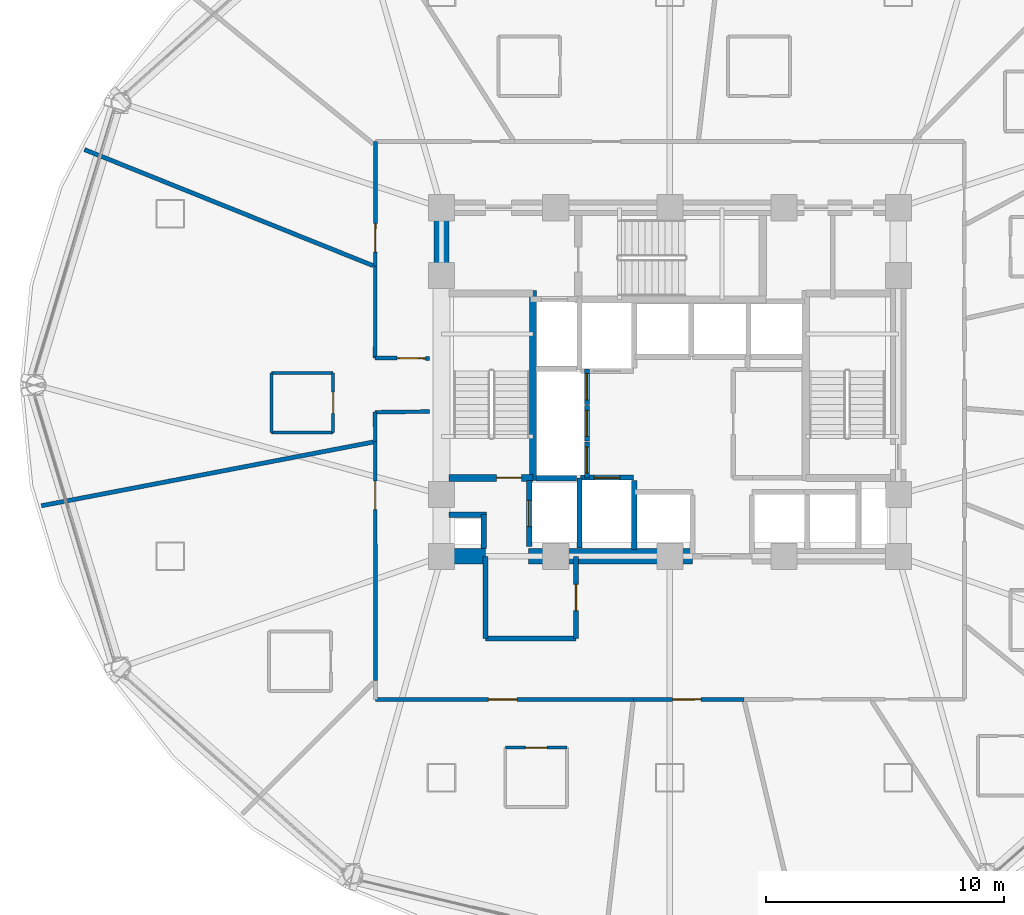
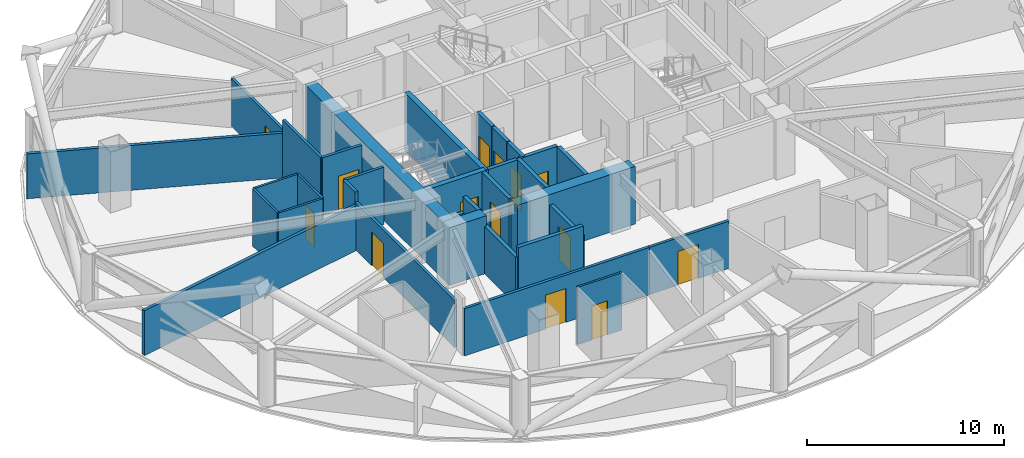
# One storey, part 24 of 31: 33 walls, 14 doors, 14 openings.
"""IFC4 building model written with IfcOpenShell, lengths in metres."""

from ifc_helpers import new_model, si_unit, direction, frame, frame_2d, origin, place, context, subcontext, project, spatial, rectangle, extrude, material, layer, layer_set, type_object, element, fill, save


model = new_model("IFC4")

# Units and contexts
model_context = context("Model", 3, precision=1e-05, world=origin(), true_north=direction((0.0, 1.0)))
body_context = subcontext(model_context, "Body", "Model", "MODEL_VIEW")
ifc_project = project(units=[si_unit("LENGTHUNIT", "METRE"), si_unit("AREAUNIT", "SQUARE_METRE"), si_unit("VOLUMEUNIT", "CUBIC_METRE"), si_unit("PLANEANGLEUNIT", "RADIAN"), si_unit("MASSUNIT", "GRAM", prefix="KILO")], contexts=[model_context])

# Site, building, storey
site_placement = place(None, origin())
site = spatial("IfcSite", under=ifc_project, at=site_placement, CompositionType="ELEMENT")
building_placement = place(site_placement, origin())
building = spatial("IfcBuilding", under=site, at=building_placement, Name="Vantalir Tower", CompositionType="ELEMENT")
storey_placement = place(building_placement, frame((0.0, 0.0, 42.0)))
storey = spatial("IfcBuildingStorey", under=building, at=storey_placement, Name="L09", CompositionType="ELEMENT", Elevation=42.0)

# Walls
ifc_material_1 = material(Name="Moisture-resistant en-suite partition", Category="gypsum")
ifc_layer_1 = layer(ifc_material_1, 0.125)
ifc_layer_set_1 = layer_set([ifc_layer_1], Name="Moisture-resistant en-suite partition")
wall_type_1 = type_object("IfcWallType", Name="WL-BATH-125", PredefinedType="PARTITIONING", material=ifc_layer_set_1)
for number, where, z_axis, x_axis, name in (
    (1, (14.748046875, 23.006103515625, 0.0), (0.0, 0.0, 1.0), (1.0, 0.0, 0.0), "L09 En-suite 07 South Wall"),
    (2, (14.748046875, 25.506103515625, 0.0), (0.0, 0.0, 1.0), (1.0, 0.0, 0.0), "L09 En-suite 07 North Wall"),
):
    element("IfcWall", number, at=place(storey_placement, frame(where, z_axis=z_axis, x_axis=x_axis)), inside=storey, type_object=wall_type_1, Name=name, PredefinedType="PARTITIONING", context=body_context, shape_type="SweptSolid", body=[
        extrude(rectangle(XDim=2.599853515625, YDim=0.125, at=frame_2d((1.2998046875, 0.0))), origin(), (0.0, 0.0, 1.0), 3.550048828125),
    ])
wall_1_placement = place(storey_placement, frame((14.748046875, 23.006103515625, 0.0), z_axis=(0.0, 0.0, 1.0), x_axis=(0.0, 1.0, 0.0)))
element("IfcWall", 3, at=wall_1_placement, inside=storey, type_object=wall_type_1, Name="L09 En-suite 07 West Wall", PredefinedType="PARTITIONING", context=body_context, shape_type="SweptSolid", body=[
    extrude(rectangle(XDim=2.5, YDim=0.125, at=frame_2d((1.25, 0.0))), origin(), (0.0, 0.0, 1.0), 3.550048828125),
])

# Wall, opening, door
wall_2_placement = place(storey_placement, frame((17.347900390625, 23.006103515625, 0.0), z_axis=(0.0, 0.0, 1.0), x_axis=(0.0, 1.0, 0.0)))
wall_2 = element("IfcWall", 4, at=wall_2_placement, inside=storey, type_object=wall_type_1, Name="L09 En-suite 07 East Wall", PredefinedType="PARTITIONING", context=body_context, shape_type="SweptSolid", body=[
    extrude(rectangle(XDim=2.5, YDim=0.125, at=frame_2d((1.25, 0.0))), origin(), (0.0, 0.0, 1.0), 3.550048828125),
])
opening_1_placement = place(wall_2_placement, frame((0.800048828125, 0.0, 0.0)))
opening_1 = element("IfcOpeningElement", 5, at=opening_1_placement, cuts=wall_2, Name="Opening D-WC", PredefinedType="OPENING", context=body_context, shape_type="SweptSolid", body=[
    extrude(rectangle(XDim=0.89990234375, YDim=2.10009765625, at=frame_2d((0.449951171875, 1.050048828125))), frame((0.0, 0.072509765625, 0.0), z_axis=(0.0, -1.0, 0.0), x_axis=(1.0, 0.0, 0.0)), (0.0, 0.0, 1.0), 0.14501953125),
])
ifc_material_2 = material(Name="Moisture-resistant hardwood door", Category="wood")
door_type_1 = type_object("IfcDoorType", Name="DR-ENSUITE-900", OperationType="NOTDEFINED", PredefinedType="DOOR", material=ifc_material_2)
door_1_placement = place(opening_1_placement, origin())
door_1 = element("IfcDoor", 6, at=door_1_placement, inside=storey, type_object=door_type_1, Name="L09 En-suite 07 Door", OperationType="SINGLE_SWING_LEFT", OverallHeight=2.10009765625, OverallWidth=0.89990234375, PredefinedType="DOOR", context=body_context, shape_type="SweptSolid", body=[
    extrude(rectangle(XDim=0.89990234375, YDim=2.10009765625, at=frame_2d((0.449951171875, 1.050048828125))), frame((0.0, 0.02490234375, 0.0), z_axis=(0.0, -1.0, 0.0), x_axis=(1.0, 0.0, 0.0)), (0.0, 0.0, 1.0), 0.050048828125),
])
fill(opening_1, door_1)

wall_3_placement = place(storey_placement, frame((24.580078125, 9.761962890625, 0.0), z_axis=(0.0, 0.0, 1.0), x_axis=(1.0, 0.0, 0.0)))
wall_3 = element("IfcWall", 7, at=wall_3_placement, inside=storey, type_object=wall_type_1, Name="L09 En-suite 09 North Wall", PredefinedType="PARTITIONING", context=body_context, shape_type="SweptSolid", body=[
    extrude(rectangle(XDim=2.599853515625, YDim=0.125, at=frame_2d((1.2998046875, 0.0))), origin(), (0.0, 0.0, 1.0), 3.550048828125),
])
opening_2_placement = place(wall_3_placement, frame((0.85009765625, 0.0, 0.0)))
opening_2 = element("IfcOpeningElement", 8, at=opening_2_placement, cuts=wall_3, Name="Opening D-WC", PredefinedType="OPENING", context=body_context, shape_type="SweptSolid", body=[
    extrude(rectangle(XDim=0.89990234375, YDim=2.10009765625, at=frame_2d((0.449951171875, 1.050048828125))), frame((0.0, 0.072509765625, 0.0), z_axis=(0.0, -1.0, 0.0), x_axis=(1.0, 0.0, 0.0)), (0.0, 0.0, 1.0), 0.14501953125),
])
door_2_placement = place(opening_2_placement, frame((0.89990234375, 0.0, 0.0), z_axis=(0.0, 0.0, 1.0), x_axis=(-1.0, 0.0, 0.0)))
door_2 = element("IfcDoor", 9, at=door_2_placement, inside=storey, type_object=door_type_1, Name="L09 En-suite 09 Door", OperationType="SINGLE_SWING_LEFT", OverallHeight=2.10009765625, OverallWidth=0.89990234375, PredefinedType="DOOR", context=body_context, shape_type="SweptSolid", body=[
    extrude(rectangle(XDim=0.89990234375, YDim=2.10009765625, at=frame_2d((0.449951171875, 1.050048828125))), frame((0.0, 0.02490234375, 0.0), z_axis=(0.0, -1.0, 0.0), x_axis=(1.0, 0.0, 0.0)), (0.0, 0.0, 1.0), 0.050048828125),
])
fill(opening_2, door_2)

# Walls
ifc_material_3 = material(Name="Concrete C60/75", Category="concrete")
ifc_layer_2 = layer(ifc_material_3, 0.64990234375)
ifc_layer_set_2 = layer_set([ifc_layer_2], Name="Concrete C60/75")
wall_type_2 = type_object("IfcWallType", Name="WL-CORE-650", PredefinedType="SHEAR", material=ifc_layer_set_2)
wall_4_placement = place(storey_placement, frame((21.574951171875, 17.800048828125, 0.0), z_axis=(0.0, 0.0, 1.0), x_axis=(1.0, 0.0, 0.0)))
element("IfcWall", 10, at=wall_4_placement, inside=storey, type_object=wall_type_2, Name="L09 Core Shear Wall South-West", PredefinedType="SHEAR", context=body_context, shape_type="SweptSolid", body=[
    extrude(rectangle(XDim=2.175048828125, YDim=0.64990234375, at=frame_2d((1.08740234375, 0.0))), origin(), (0.0, 0.0, 1.0), 3.570068359375),
])
wall_5_placement = place(storey_placement, frame((25.550048828125, 17.800048828125, 0.0), z_axis=(0.0, 0.0, 1.0), x_axis=(1.0, 0.0, 0.0)))
element("IfcWall", 11, at=wall_5_placement, inside=storey, type_object=wall_type_2, Name="L09 Core Shear Wall South-Mid", PredefinedType="SHEAR", context=body_context, shape_type="SweptSolid", body=[
    extrude(rectangle(XDim=6.89990234375, YDim=0.64990234375, at=frame_2d((3.449951171875, 0.0))), origin(), (0.0, 0.0, 1.0), 3.570068359375),
])
wall_6_placement = place(storey_placement, frame((21.89990234375, 18.125, 0.0), z_axis=(0.0, 0.0, 1.0), x_axis=(0.0, 1.0, 0.0)))
element("IfcWall", 12, at=wall_6_placement, inside=storey, type_object=wall_type_2, Name="L09 Core Shear Wall West", PredefinedType="SHEAR", context=body_context, shape_type="SweptSolid", body=[
    extrude(rectangle(XDim=14.0, YDim=0.64990234375, at=frame_2d((7.0, 0.0))), origin(), (0.0, 0.0, 1.0), 3.570068359375),
])

# Wall, opening, door
ifc_material_4 = material(Name="Fire-rated hotel corridor acoustic partition", Category="gypsum")
ifc_layer_3 = layer(ifc_material_4, 0.159912109375)
ifc_layer_set_3 = layer_set([ifc_layer_3], Name="Fire-rated hotel corridor acoustic partition")
wall_type_3 = type_object("IfcWallType", Name="WL-CORR-160", PredefinedType="PARTITIONING", material=ifc_layer_set_3)
wall_7_placement = place(storey_placement, frame((21.39501953125, 26.116943359375, 0.0), z_axis=(0.0, 0.0, 1.0), x_axis=(-0.999939393754, 0.011009487713, 0.0)))
wall_7 = element("IfcWall", 13, at=wall_7_placement, inside=storey, type_object=wall_type_3, Name="L09 Corridor Partition 01", PredefinedType="PARTITIONING", context=body_context, shape_type="SweptSolid", body=[
    extrude(rectangle(XDim=2.2841796875, YDim=0.159912109375, at=frame_2d((1.14208984375, 0.0))), origin(), (0.0, 0.0, 1.0), 3.550048828125),
])
opening_3_placement = place(wall_7_placement, frame((0.159912109375, 0.0, 0.0)))
opening_3 = element("IfcOpeningElement", 14, at=opening_3_placement, cuts=wall_7, Name="Opening D-STE", PredefinedType="OPENING", context=body_context, shape_type="SweptSolid", body=[
    extrude(rectangle(XDim=1.199951171875, YDim=2.10009765625, at=frame_2d((0.60009765625, 1.050048828125))), frame((0.0, 0.08984375, 0.0), z_axis=(0.0, -1.0, 0.0), x_axis=(1.0, 0.0, 0.0)), (0.0, 0.0, 1.0), 0.179931640625),
])
ifc_material_5 = material(Name="Solid-core teak veneer suite entrance door", Category="wood")
door_type_2 = type_object("IfcDoorType", Name="DR-SUITE-ENTRY-1200", OperationType="NOTDEFINED", PredefinedType="DOOR", material=ifc_material_5)
door_3_placement = place(opening_3_placement, origin())
door_3 = element("IfcDoor", 15, at=door_3_placement, inside=storey, type_object=door_type_2, Name="L09 Corner Panorama Hotel Suite 07 Door", OperationType="SINGLE_SWING_LEFT", OverallHeight=2.10009765625, OverallWidth=1.199951171875, PredefinedType="DOOR", context=body_context, shape_type="SweptSolid", body=[
    extrude(rectangle(XDim=1.199951171875, YDim=2.10009765625, at=frame_2d((0.60009765625, 1.050048828125))), frame((0.0, 0.02490234375, 0.0), z_axis=(0.0, -1.0, 0.0), x_axis=(1.0, 0.0, 0.0)), (0.0, 0.0, 1.0), 0.050048828125),
])
fill(opening_3, door_3)

# Wall
wall_8_placement = place(storey_placement, frame((19.111083984375, 26.14208984375, 0.0), z_axis=(0.0, 0.0, 1.0), x_axis=(0.002035619192, 0.999997928125, 0.0)))
element("IfcWall", 16, at=wall_8_placement, inside=storey, type_object=wall_type_3, Name="L09 Corridor Partition 02", PredefinedType="PARTITIONING", context=body_context, shape_type="SweptSolid", body=[
    extrude(rectangle(XDim=3.837890625, YDim=0.159912109375, at=frame_2d((1.9189453125, 0.0))), origin(), (0.0, 0.0, 1.0), 3.550048828125),
])

# Wall, opening, door
wall_9_placement = place(storey_placement, frame((19.118896484375, 29.97998046875, 0.0), z_axis=(0.0, 0.0, 1.0), x_axis=(0.002322874105, 0.999997302124, 0.0)))
wall_9 = element("IfcWall", 17, at=wall_9_placement, inside=storey, type_object=wall_type_3, Name="L09 Corridor Partition 03", PredefinedType="PARTITIONING", context=body_context, shape_type="SweptSolid", body=[
    extrude(rectangle(XDim=5.255126953125, YDim=0.159912109375, at=frame_2d((2.62744140625, 0.0))), origin(), (0.0, 0.0, 1.0), 2.927978515625),
])
opening_4_placement = place(wall_9_placement, frame((0.60791015625, 0.0, 0.0)))
opening_4 = element("IfcOpeningElement", 18, at=opening_4_placement, cuts=wall_9, Name="Opening D-STE", PredefinedType="OPENING", context=body_context, shape_type="SweptSolid", body=[
    extrude(rectangle(XDim=1.199951171875, YDim=2.10009765625, at=frame_2d((0.60009765625, 1.050048828125))), frame((0.0, 0.08984375, 0.0), z_axis=(0.0, -1.0, 0.0), x_axis=(1.0, 0.0, 0.0)), (0.0, 0.0, 1.0), 0.179931640625),
])
door_4_placement = place(opening_4_placement, origin())
door_4 = element("IfcDoor", 19, at=door_4_placement, inside=storey, type_object=door_type_2, Name="L09 Executive Sky Boardroom 06 Door", OperationType="SINGLE_SWING_RIGHT", OverallHeight=2.10009765625, OverallWidth=1.199951171875, PredefinedType="DOOR", context=body_context, shape_type="SweptSolid", body=[
    extrude(rectangle(XDim=1.199951171875, YDim=2.10009765625, at=frame_2d((0.60009765625, 1.050048828125))), frame((0.0, 0.02490234375, 0.0), z_axis=(0.0, -1.0, 0.0), x_axis=(1.0, 0.0, 0.0)), (0.0, 0.0, 1.0), 0.050048828125),
])
fill(opening_4, door_4)

wall_10_placement = place(storey_placement, frame((34.60791015625, 11.7900390625, 0.0), z_axis=(0.0, 0.0, 1.0), x_axis=(-0.999999801099, -0.000630715737, 0.0)))
wall_10 = element("IfcWall", 20, at=wall_10_placement, inside=storey, type_object=wall_type_3, Name="L09 Corridor Partition 16", PredefinedType="PARTITIONING", context=body_context, shape_type="SweptSolid", body=[
    extrude(rectangle(XDim=4.64501953125, YDim=0.159912109375, at=frame_2d((2.322509765625, 0.0))), origin(), (0.0, 0.0, 1.0), 2.927978515625),
])
opening_5_placement = place(wall_10_placement, frame((1.797119140625, 0.0, 0.0)))
opening_5 = element("IfcOpeningElement", 21, at=opening_5_placement, cuts=wall_10, Name="Opening D-STE", PredefinedType="OPENING", context=body_context, shape_type="SweptSolid", body=[
    extrude(rectangle(XDim=1.199951171875, YDim=2.10009765625, at=frame_2d((0.60009765625, 1.050048828125))), frame((0.0, 0.08984375, 0.0), z_axis=(0.0, -1.0, 0.0), x_axis=(1.0, 0.0, 0.0)), (0.0, 0.0, 1.0), 0.179931640625),
])
door_5_placement = place(opening_5_placement, origin())
door_5 = element("IfcDoor", 22, at=door_5_placement, inside=storey, type_object=door_type_2, Name="L09 Club Reading Lounge 10 Door", OperationType="SINGLE_SWING_RIGHT", OverallHeight=2.10009765625, OverallWidth=1.199951171875, PredefinedType="DOOR", context=body_context, shape_type="SweptSolid", body=[
    extrude(rectangle(XDim=1.199951171875, YDim=2.10009765625, at=frame_2d((0.60009765625, 1.050048828125))), frame((0.0, 0.02490234375, 0.0), z_axis=(0.0, -1.0, 0.0), x_axis=(1.0, 0.0, 0.0)), (0.0, 0.0, 1.0), 0.050048828125),
])
fill(opening_5, door_5)

wall_11_placement = place(storey_placement, frame((29.962890625, 11.787109375, 0.0), z_axis=(0.0, 0.0, 1.0), x_axis=(-0.999999786378, -0.000653638826, 0.0)))
wall_11 = element("IfcWall", 23, at=wall_11_placement, inside=storey, type_object=wall_type_3, Name="L09 Corridor Partition 17", PredefinedType="PARTITIONING", context=body_context, shape_type="SweptSolid", body=[
    extrude(rectangle(XDim=10.831787109375, YDim=0.159912109375, at=frame_2d((5.416015625, 0.0))), origin(), (0.0, 0.0, 1.0), 2.927978515625),
])
opening_6_placement = place(wall_11_placement, frame((4.889892578125, 0.0, 0.0)))
opening_6 = element("IfcOpeningElement", 24, at=opening_6_placement, cuts=wall_11, Name="Opening D-STE", PredefinedType="OPENING", context=body_context, shape_type="SweptSolid", body=[
    extrude(rectangle(XDim=1.199951171875, YDim=2.10009765625, at=frame_2d((0.60009765625, 1.050048828125))), frame((0.0, 0.08984375, 0.0), z_axis=(0.0, -1.0, 0.0), x_axis=(1.0, 0.0, 0.0)), (0.0, 0.0, 1.0), 0.179931640625),
])
door_6_placement = place(opening_6_placement, origin())
door_6 = element("IfcDoor", 25, at=door_6_placement, inside=storey, type_object=door_type_2, Name="L09 Corner Panorama Hotel Suite 09 Door", OperationType="SINGLE_SWING_LEFT", OverallHeight=2.10009765625, OverallWidth=1.199951171875, PredefinedType="DOOR", context=body_context, shape_type="SweptSolid", body=[
    extrude(rectangle(XDim=1.199951171875, YDim=2.10009765625, at=frame_2d((0.60009765625, 1.050048828125))), frame((0.0, 0.02490234375, 0.0), z_axis=(0.0, -1.0, 0.0), x_axis=(1.0, 0.0, 0.0)), (0.0, 0.0, 1.0), 0.050048828125),
])
fill(opening_6, door_6)

wall_12_placement = place(storey_placement, frame((19.1298828125, 12.5869140625, 0.0), z_axis=(0.0, 0.0, 1.0), x_axis=(-0.001678829751, 0.999998590764, 0.0)))
wall_12 = element("IfcWall", 26, at=wall_12_placement, inside=storey, type_object=wall_type_3, Name="L09 Corridor Partition 19", PredefinedType="PARTITIONING", context=body_context, shape_type="SweptSolid", body=[
    extrude(rectangle(XDim=10.0341796875, YDim=0.159912109375, at=frame_2d((5.01708984375, 0.0))), origin(), (0.0, 0.0, 1.0), 2.927978515625),
])
opening_7_placement = place(wall_12_placement, frame((7.179931640625, 0.0, 0.0)))
opening_7 = element("IfcOpeningElement", 27, at=opening_7_placement, cuts=wall_12, Name="Opening D-STE", PredefinedType="OPENING", context=body_context, shape_type="SweptSolid", body=[
    extrude(rectangle(XDim=1.199951171875, YDim=2.10009765625, at=frame_2d((0.60009765625, 1.050048828125))), frame((0.0, 0.08984375, 0.0), z_axis=(0.0, -1.0, 0.0), x_axis=(1.0, 0.0, 0.0)), (0.0, 0.0, 1.0), 0.179931640625),
])
door_7_placement = place(opening_7_placement, origin())
door_7 = element("IfcDoor", 28, at=door_7_placement, inside=storey, type_object=door_type_2, Name="L09 Executive Club Hotel Suite 08 Door", OperationType="SINGLE_SWING_RIGHT", OverallHeight=2.10009765625, OverallWidth=1.199951171875, PredefinedType="DOOR", context=body_context, shape_type="SweptSolid", body=[
    extrude(rectangle(XDim=1.199951171875, YDim=2.10009765625, at=frame_2d((0.60009765625, 1.050048828125))), frame((0.0, 0.02490234375, 0.0), z_axis=(0.0, -1.0, 0.0), x_axis=(1.0, 0.0, 0.0)), (0.0, 0.0, 1.0), 0.050048828125),
])
fill(opening_7, door_7)

# Walls
wall_13_placement = place(storey_placement, frame((19.113037109375, 22.62109375, 0.0), z_axis=(0.0, 0.0, 1.0), x_axis=(-0.001579153183, 0.999998753137, 0.0)))
element("IfcWall", 29, at=wall_13_placement, inside=storey, type_object=wall_type_3, Name="L09 Corridor Partition 20", PredefinedType="PARTITIONING", context=body_context, shape_type="SweptSolid", body=[
    extrude(rectangle(XDim=1.23681640625, YDim=0.159912109375, at=frame_2d((0.618408203125, 0.0))), origin(), (0.0, 0.0, 1.0), 3.550048828125),
])
wall_14_placement = place(storey_placement, frame((19.111083984375, 23.85791015625, 0.0), z_axis=(0.0, 0.0, 1.0), x_axis=(0.999919104634, 0.01271944131, 0.0)))
element("IfcWall", 30, at=wall_14_placement, inside=storey, type_object=wall_type_3, Name="L09 Corridor Partition 21", PredefinedType="PARTITIONING", context=body_context, shape_type="SweptSolid", body=[
    extrude(rectangle(XDim=2.2841796875, YDim=0.159912109375, at=frame_2d((1.14208984375, 0.0))), origin(), (0.0, 0.0, 1.0), 3.550048828125),
])
ifc_material_6 = material(Name="Concrete blockwork with fireboard lining", Category="masonry")
ifc_layer_4 = layer(ifc_material_6, 0.219970703125)
ifc_layer_set_4 = layer_set([ifc_layer_4], Name="Concrete blockwork with fireboard lining")
wall_type_4 = type_object("IfcWallType", Name="WL-FFL-220", PredefinedType="PARTITIONING", material=ifc_layer_set_4)
wall_15_placement = place(storey_placement, frame((30.0, 18.080078125, 0.0), z_axis=(0.0, 0.0, 1.0), x_axis=(0.0, 1.0, 0.0)))
element("IfcWall", 31, at=wall_15_placement, inside=storey, type_object=wall_type_4, Name="L09 Service Lift SV1 East Shaft Wall", PredefinedType="PARTITIONING", context=body_context, shape_type="SweptSolid", body=[
    extrude(rectangle(XDim=2.89990234375, YDim=0.219970703125, at=frame_2d((1.449951171875, 0.0))), origin(), (0.0, 0.0, 1.0), 3.544921875),
])
wall_16_placement = place(storey_placement, frame((23.679931640625, 18.125, 0.0), z_axis=(0.0, 0.0, 1.0), x_axis=(0.0, 1.0, 0.0)))
element("IfcWall", 32, at=wall_16_placement, inside=storey, type_object=wall_type_4, Name="L09 West MEP Riser Wall E", PredefinedType="PARTITIONING", context=body_context, shape_type="SweptSolid", body=[
    extrude(rectangle(XDim=1.425048828125, YDim=0.219970703125, at=frame_2d((0.71240234375, 0.0))), origin(), (0.0, 0.0, 1.0), 3.550048828125),
])
wall_17_placement = place(storey_placement, frame((22.22509765625, 19.550048828125, 0.0), z_axis=(0.0, 0.0, 1.0), x_axis=(1.0, 0.0, 0.0)))
element("IfcWall", 33, at=wall_17_placement, inside=storey, type_object=wall_type_4, Name="L09 West MEP Riser Wall N", PredefinedType="PARTITIONING", context=body_context, shape_type="SweptSolid", body=[
    extrude(rectangle(XDim=1.56494140625, YDim=0.219970703125, at=frame_2d((0.782470703125, 0.0))), origin(), (0.0, 0.0, 1.0), 2.594970703125),
])

# Wall, opening, door
wall_18_placement = place(storey_placement, frame((25.590087890625, 18.219970703125, 0.0), z_axis=(0.0, 0.0, 1.0), x_axis=(0.0, 1.0, 0.0)))
wall_18 = element("IfcWall", 34, at=wall_18_placement, inside=storey, type_object=wall_type_4, Name="L09 Lift FL1 Shaft Front Wall", PredefinedType="PARTITIONING", context=body_context, shape_type="SweptSolid", body=[
    extrude(rectangle(XDim=2.760009765625, YDim=0.219970703125, at=frame_2d((1.3798828125, 0.0))), origin(), (0.0, 0.0, 1.0), 3.550048828125),
])
opening_8_placement = place(wall_18_placement, frame((0.830078125, 0.0, 0.0)))
opening_8 = element("IfcOpeningElement", 35, at=opening_8_placement, cuts=wall_18, Name="Opening LD-FL1", PredefinedType="OPENING", context=body_context, shape_type="SweptSolid", body=[
    extrude(rectangle(XDim=1.10009765625, YDim=2.199951171875, at=frame_2d((0.550048828125, 1.10009765625))), frame((0.0, 0.119873046875, 0.0), z_axis=(0.0, -1.0, 0.0), x_axis=(1.0, 0.0, 0.0)), (0.0, 0.0, 1.0), 0.239990234375),
])
ifc_material_7 = material(Name="Brushed stainless-steel sliding lift landing door", Category="steel")
door_type_3 = type_object("IfcDoorType", Name="DR-LIFT-LANDING-1100", OperationType="DOUBLE_DOOR_SLIDING", PredefinedType="DOOR", material=ifc_material_7)
door_8_placement = place(opening_8_placement, origin())
door_8 = element("IfcDoor", 36, at=door_8_placement, inside=storey, type_object=door_type_3, Name="L09 Lift Landing Door FL1", OperationType="DOUBLE_DOOR_SLIDING", OverallHeight=2.199951171875, OverallWidth=1.10009765625, PredefinedType="DOOR", context=body_context, shape_type="SweptSolid", body=[
    extrude(rectangle(XDim=1.10009765625, YDim=2.199951171875, at=frame_2d((0.550048828125, 1.10009765625))), frame((0.0, 0.02490234375, 0.0), z_axis=(0.0, -1.0, 0.0), x_axis=(1.0, 0.0, 0.0)), (0.0, 0.0, 1.0), 0.050048828125),
])
fill(opening_8, door_8)

wall_19_placement = place(storey_placement, frame((27.739990234375, 21.110107421875, 0.0), z_axis=(0.0, 0.0, 1.0), x_axis=(1.0, 0.0, 0.0)))
wall_19 = element("IfcWall", 37, at=wall_19_placement, inside=storey, type_object=wall_type_4, Name="L09 Lift SV1 Shaft Front Wall", PredefinedType="PARTITIONING", context=body_context, shape_type="SweptSolid", body=[
    extrude(rectangle(XDim=2.219970703125, YDim=0.219970703125, at=frame_2d((1.10986328125, 0.0))), origin(), (0.0, 0.0, 1.0), 3.550048828125),
])
opening_9_placement = place(wall_19_placement, frame((0.56005859375, 0.0, 0.0)))
opening_9 = element("IfcOpeningElement", 38, at=opening_9_placement, cuts=wall_19, Name="Opening LD-SV1", PredefinedType="OPENING", context=body_context, shape_type="SweptSolid", body=[
    extrude(rectangle(XDim=1.10009765625, YDim=2.199951171875, at=frame_2d((0.550048828125, 1.10009765625))), frame((0.0, 0.119873046875, 0.0), z_axis=(0.0, -1.0, 0.0), x_axis=(1.0, 0.0, 0.0)), (0.0, 0.0, 1.0), 0.239990234375),
])
door_9_placement = place(opening_9_placement, origin())
door_9 = element("IfcDoor", 39, at=door_9_placement, inside=storey, type_object=door_type_3, Name="L09 Lift Landing Door SV1", OperationType="DOUBLE_DOOR_SLIDING", OverallHeight=2.199951171875, OverallWidth=1.10009765625, PredefinedType="DOOR", context=body_context, shape_type="SweptSolid", body=[
    extrude(rectangle(XDim=1.10009765625, YDim=2.199951171875, at=frame_2d((0.550048828125, 1.10009765625))), frame((0.0, 0.02490234375, 0.0), z_axis=(0.0, -1.0, 0.0), x_axis=(1.0, 0.0, 0.0)), (0.0, 0.0, 1.0), 0.050048828125),
])
fill(opening_9, door_9)

wall_20_placement = place(storey_placement, frame((28.010009765625, 21.10009765625, 0.0), z_axis=(0.0, 0.0, 1.0), x_axis=(0.0, 1.0, 0.0)))
wall_20 = element("IfcWall", 40, at=wall_20_placement, inside=storey, type_object=wall_type_4, Name="L09 Lift PL-L1 Shaft Front Wall", PredefinedType="PARTITIONING", context=body_context, shape_type="SweptSolid", body=[
    extrude(rectangle(XDim=1.5, YDim=0.219970703125, at=frame_2d((0.75, 0.0))), origin(), (0.0, 0.0, 1.0), 3.550048828125),
])
opening_10_placement = place(wall_20_placement, frame((0.199951171875, 0.0, 0.0)))
opening_10 = element("IfcOpeningElement", 41, at=opening_10_placement, cuts=wall_20, Name="Opening LD-PL-L1", PredefinedType="OPENING", context=body_context, shape_type="SweptSolid", body=[
    extrude(rectangle(XDim=1.10009765625, YDim=2.199951171875, at=frame_2d((0.550048828125, 1.10009765625))), frame((0.0, 0.119873046875, 0.0), z_axis=(0.0, -1.0, 0.0), x_axis=(1.0, 0.0, 0.0)), (0.0, 0.0, 1.0), 0.239990234375),
])
door_10_placement = place(opening_10_placement, frame((1.10009765625, 0.0, 0.0), z_axis=(0.0, 0.0, 1.0), x_axis=(-1.0, 0.0, 0.0)))
door_10 = element("IfcDoor", 42, at=door_10_placement, inside=storey, type_object=door_type_3, Name="L09 Lift Landing Door PL-L1", OperationType="DOUBLE_DOOR_SLIDING", OverallHeight=2.199951171875, OverallWidth=1.10009765625, PredefinedType="DOOR", context=body_context, shape_type="SweptSolid", body=[
    extrude(rectangle(XDim=1.10009765625, YDim=2.199951171875, at=frame_2d((0.550048828125, 1.10009765625))), frame((0.0, 0.02490234375, 0.0), z_axis=(0.0, -1.0, 0.0), x_axis=(1.0, 0.0, 0.0)), (0.0, 0.0, 1.0), 0.050048828125),
])
fill(opening_10, door_10)

wall_21_placement = place(storey_placement, frame((28.010009765625, 22.639892578125, 0.0), z_axis=(0.0, 0.0, 1.0), x_axis=(0.0, 1.0, 0.0)))
wall_21 = element("IfcWall", 43, at=wall_21_placement, inside=storey, type_object=wall_type_4, Name="L09 Lift PL-L2 Shaft Front Wall", PredefinedType="PARTITIONING", context=body_context, shape_type="SweptSolid", body=[
    extrude(rectangle(XDim=1.5, YDim=0.219970703125, at=frame_2d((0.75, 0.0))), origin(), (0.0, 0.0, 1.0), 3.550048828125),
])
opening_11_placement = place(wall_21_placement, frame((0.199951171875, 0.0, 0.0)))
opening_11 = element("IfcOpeningElement", 44, at=opening_11_placement, cuts=wall_21, Name="Opening LD-PL-L2", PredefinedType="OPENING", context=body_context, shape_type="SweptSolid", body=[
    extrude(rectangle(XDim=1.10009765625, YDim=2.199951171875, at=frame_2d((0.550048828125, 1.10009765625))), frame((0.0, 0.119873046875, 0.0), z_axis=(0.0, -1.0, 0.0), x_axis=(1.0, 0.0, 0.0)), (0.0, 0.0, 1.0), 0.239990234375),
])
door_11_placement = place(opening_11_placement, frame((1.10009765625, 0.0, 0.0), z_axis=(0.0, 0.0, 1.0), x_axis=(-1.0, 0.0, 0.0)))
door_11 = element("IfcDoor", 45, at=door_11_placement, inside=storey, type_object=door_type_3, Name="L09 Lift Landing Door PL-L2", OperationType="DOUBLE_DOOR_SLIDING", OverallHeight=2.199951171875, OverallWidth=1.10009765625, PredefinedType="DOOR", context=body_context, shape_type="SweptSolid", body=[
    extrude(rectangle(XDim=1.10009765625, YDim=2.199951171875, at=frame_2d((0.550048828125, 1.10009765625))), frame((0.0, 0.02490234375, 0.0), z_axis=(0.0, -1.0, 0.0), x_axis=(1.0, 0.0, 0.0)), (0.0, 0.0, 1.0), 0.050048828125),
])
fill(opening_11, door_11)

wall_22_placement = place(storey_placement, frame((28.010009765625, 24.179931640625, 0.0), z_axis=(0.0, 0.0, 1.0), x_axis=(0.0, 1.0, 0.0)))
wall_22 = element("IfcWall", 46, at=wall_22_placement, inside=storey, type_object=wall_type_4, Name="L09 Lift PL-L3 Shaft Front Wall", PredefinedType="PARTITIONING", context=body_context, shape_type="SweptSolid", body=[
    extrude(rectangle(XDim=1.5, YDim=0.219970703125, at=frame_2d((0.75, 0.0))), origin(), (0.0, 0.0, 1.0), 3.550048828125),
])
opening_12_placement = place(wall_22_placement, frame((0.199951171875, 0.0, 0.0)))
opening_12 = element("IfcOpeningElement", 47, at=opening_12_placement, cuts=wall_22, Name="Opening LD-PL-L3", PredefinedType="OPENING", context=body_context, shape_type="SweptSolid", body=[
    extrude(rectangle(XDim=1.10009765625, YDim=2.199951171875, at=frame_2d((0.550048828125, 1.10009765625))), frame((0.0, 0.119873046875, 0.0), z_axis=(0.0, -1.0, 0.0), x_axis=(1.0, 0.0, 0.0)), (0.0, 0.0, 1.0), 0.239990234375),
])
door_12_placement = place(opening_12_placement, frame((1.10009765625, 0.0, 0.0), z_axis=(0.0, 0.0, 1.0), x_axis=(-1.0, 0.0, 0.0)))
door_12 = element("IfcDoor", 48, at=door_12_placement, inside=storey, type_object=door_type_3, Name="L09 Lift Landing Door PL-L3", OperationType="DOUBLE_DOOR_SLIDING", OverallHeight=2.199951171875, OverallWidth=1.10009765625, PredefinedType="DOOR", context=body_context, shape_type="SweptSolid", body=[
    extrude(rectangle(XDim=1.10009765625, YDim=2.199951171875, at=frame_2d((0.550048828125, 1.10009765625))), frame((0.0, 0.02490234375, 0.0), z_axis=(0.0, -1.0, 0.0), x_axis=(1.0, 0.0, 0.0)), (0.0, 0.0, 1.0), 0.050048828125),
])
fill(opening_12, door_12)

# Walls
wall_23_placement = place(storey_placement, frame((27.699951171875, 18.14990234375, 0.0), z_axis=(0.0, 0.0, 1.0), x_axis=(0.0, 1.0, 0.0)))
element("IfcWall", 49, at=wall_23_placement, inside=storey, type_object=wall_type_4, Name="L09 Fire Lift FL1 Dividing Wall", PredefinedType="PARTITIONING", context=body_context, shape_type="SweptSolid", body=[
    extrude(rectangle(XDim=2.9501953125, YDim=0.219970703125, at=frame_2d((1.47509765625, 0.0))), origin(), (0.0, 0.0, 1.0), 3.550048828125),
])
wall_24_placement = place(storey_placement, frame((25.8798828125, 21.080078125, 0.0), z_axis=(0.0, 0.0, 1.0), x_axis=(1.0, 0.0, 0.0)))
element("IfcWall", 50, at=wall_24_placement, inside=storey, type_object=wall_type_4, Name="L09 Low-Rise Bank South Wall", PredefinedType="PARTITIONING", context=body_context, shape_type="SweptSolid", body=[
    extrude(rectangle(XDim=1.7001953125, YDim=0.219970703125, at=frame_2d((0.85009765625, 0.0))), origin(), (0.0, 0.0, 1.0), 3.550048828125),
])
wall_25_placement = place(storey_placement, frame((23.75, 14.35009765625, 0.0), z_axis=(0.0, 0.0, 1.0), x_axis=(0.0, 1.0, 0.0)))
element("IfcWall", 51, at=wall_25_placement, inside=storey, type_object=wall_type_4, Name="L09 Firefighting Lobby West Outer W", PredefinedType="PARTITIONING", context=body_context, shape_type="SweptSolid", body=[
    extrude(rectangle(XDim=3.449951171875, YDim=0.219970703125, at=frame_2d((1.72509765625, 0.0))), origin(), (0.0, 0.0, 1.0), 2.927978515625),
])
wall_26_placement = place(storey_placement, frame((23.75, 14.35009765625, 0.0), z_axis=(0.0, 0.0, 1.0), x_axis=(1.0, 0.0, 0.0)))
element("IfcWall", 52, at=wall_26_placement, inside=storey, type_object=wall_type_4, Name="L09 Firefighting Lobby West South Wall", PredefinedType="PARTITIONING", context=body_context, shape_type="SweptSolid", body=[
    extrude(rectangle(XDim=3.800048828125, YDim=0.219970703125, at=frame_2d((1.89990234375, 0.0))), origin(), (0.0, 0.0, 1.0), 3.550048828125),
])

# Wall, opening, door
wall_27_placement = place(storey_placement, frame((27.550048828125, 14.35009765625, 0.0), z_axis=(0.0, 0.0, 1.0), x_axis=(0.0, 1.0, 0.0)))
wall_27 = element("IfcWall", 53, at=wall_27_placement, inside=storey, type_object=wall_type_4, Name="L09 Firefighting Lobby West East Wall", PredefinedType="PARTITIONING", context=body_context, shape_type="SweptSolid", body=[
    extrude(rectangle(XDim=3.449951171875, YDim=0.219970703125, at=frame_2d((1.72509765625, 0.0))), origin(), (0.0, 0.0, 1.0), 2.927978515625),
])
opening_13_placement = place(wall_27_placement, frame((1.175048828125, 0.0, 0.0)))
opening_13 = element("IfcOpeningElement", 54, at=opening_13_placement, cuts=wall_27, Name="Opening D-FFL", PredefinedType="OPENING", context=body_context, shape_type="SweptSolid", body=[
    extrude(rectangle(XDim=1.10009765625, YDim=2.10009765625, at=frame_2d((0.550048828125, 1.050048828125))), frame((0.0, 0.119873046875, 0.0), z_axis=(0.0, -1.0, 0.0), x_axis=(1.0, 0.0, 0.0)), (0.0, 0.0, 1.0), 0.239990234375),
])
ifc_material_8 = material(Name="Fire-rated acoustic steel door", Category="steel")
door_type_4 = type_object("IfcDoorType", Name="DR-FIRE-LOBBY-1100", OperationType="NOTDEFINED", PredefinedType="DOOR", material=ifc_material_8)
door_13_placement = place(opening_13_placement, origin())
door_13 = element("IfcDoor", 55, at=door_13_placement, inside=storey, type_object=door_type_4, Name="L09 Firefighting Lobby West Access Door", OperationType="SINGLE_SWING_RIGHT", OverallHeight=2.10009765625, OverallWidth=1.10009765625, PredefinedType="DOOR", context=body_context, shape_type="SweptSolid", body=[
    extrude(rectangle(XDim=1.10009765625, YDim=2.10009765625, at=frame_2d((0.550048828125, 1.050048828125))), frame((0.0, 0.02490234375, 0.0), z_axis=(0.0, -1.0, 0.0), x_axis=(1.0, 0.0, 0.0)), (0.0, 0.0, 1.0), 0.050048828125),
])
fill(opening_13, door_13)

# Walls
ifc_material_9 = material(Name="Twin-stud acoustic fire-rated gypsum partition", Category="gypsum")
ifc_layer_5 = layer(ifc_material_9, 0.179931640625)
ifc_layer_set_5 = layer_set([ifc_layer_5], Name="Twin-stud acoustic fire-rated gypsum partition")
wall_type_5 = type_object("IfcWallType", Name="WL-GUEST-180", PredefinedType="PARTITIONING", material=ifc_layer_set_5)
wall_28_placement = place(storey_placement, frame((19.034912109375, 30.013916015625, 0.0), z_axis=(0.0, 0.0, 1.0), x_axis=(-0.927750435419, 0.373201191827, 0.0)))
element("IfcWall", 56, at=wall_28_placement, inside=storey, type_object=wall_type_5, Name="L09 Radial Suite Partition 07", PredefinedType="PARTITIONING", context=body_context, shape_type="SweptSolid", body=[
    extrude(rectangle(XDim=13.084228515625, YDim=0.179931640625, at=frame_2d((6.5419921875, 0.0))), origin(), (0.0, 0.0, 1.0), 2.77490234375),
])
wall_29_placement = place(storey_placement, frame((19.034912109375, 22.60595703125, 0.0), z_axis=(0.0, 0.0, 1.0), x_axis=(-0.982052637136, -0.188607046247, 0.0)))
element("IfcWall", 57, at=wall_29_placement, inside=storey, type_object=wall_type_5, Name="L09 Radial Suite Partition 08", PredefinedType="PARTITIONING", context=body_context, shape_type="SweptSolid", body=[
    extrude(rectangle(XDim=14.203857421875, YDim=0.179931640625, at=frame_2d((7.10205078125, 0.0))), origin(), (0.0, 0.0, 1.0), 2.77490234375),
])

# Wall, opening, door
ifc_material_10 = material(Name="Concrete C50/60", Category="concrete")
ifc_layer_6 = layer(ifc_material_10, 0.300048828125)
ifc_layer_set_6 = layer_set([ifc_layer_6], Name="Concrete C50/60")
wall_type_6 = type_object("IfcWallType", Name="WL-STAIR-300", PredefinedType="SHEAR", material=ifc_layer_set_6)
wall_30_placement = place(storey_placement, frame((22.22509765625, 21.10009765625, 0.0), z_axis=(0.0, 0.0, 1.0), x_axis=(1.0, 0.0, 0.0)))
wall_30 = element("IfcWall", 58, at=wall_30_placement, inside=storey, type_object=wall_type_6, Name="L09 Stair ST1 South Wall", PredefinedType="SHEAR", context=body_context, shape_type="SweptSolid", body=[
    extrude(rectangle(XDim=3.514892578125, YDim=0.300048828125, at=frame_2d((1.75732421875, 0.0))), origin(), (0.0, 0.0, 1.0), 3.570068359375),
])
opening_14_placement = place(wall_30_placement, frame((1.9951171875, 0.0, 0.0)))
opening_14 = element("IfcOpeningElement", 59, at=opening_14_placement, cuts=wall_30, Name="Opening D-ST", PredefinedType="OPENING", context=body_context, shape_type="SweptSolid", body=[
    extrude(rectangle(XDim=1.050048828125, YDim=2.10009765625, at=frame_2d((0.52490234375, 1.050048828125))), frame((0.0, 0.159912109375, 0.0), z_axis=(0.0, -1.0, 0.0), x_axis=(1.0, 0.0, 0.0)), (0.0, 0.0, 1.0), 0.320068359375),
])
ifc_material_11 = material(Name="Fire-rated steel door leaf", Category="steel")
door_type_5 = type_object("IfcDoorType", Name="DR-FIRE-STAIR-1050", OperationType="NOTDEFINED", PredefinedType="DOOR", material=ifc_material_11)
door_14_placement = place(opening_14_placement, origin())
door_14 = element("IfcDoor", 60, at=door_14_placement, inside=storey, type_object=door_type_5, Name="L09 Exit Stair ST1 Fire Door", OperationType="SINGLE_SWING_RIGHT", OverallHeight=2.10009765625, OverallWidth=1.050048828125, PredefinedType="DOOR", context=body_context, shape_type="SweptSolid", body=[
    extrude(rectangle(XDim=1.050048828125, YDim=2.10009765625, at=frame_2d((0.52490234375, 1.050048828125))), frame((0.0, 0.02490234375, 0.0), z_axis=(0.0, -1.0, 0.0), x_axis=(1.0, 0.0, 0.0)), (0.0, 0.0, 1.0), 0.050048828125),
])
fill(opening_14, door_14)

# Wall
wall_31_placement = place(storey_placement, frame((25.739990234375, 20.97998046875, 0.0), z_axis=(0.0, 0.0, 1.0), x_axis=(0.0, 1.0, 0.0)))
element("IfcWall", 61, at=wall_31_placement, inside=storey, type_object=wall_type_6, Name="L09 Stair ST1 East Wall", PredefinedType="SHEAR", context=body_context, shape_type="SweptSolid", body=[
    extrude(rectangle(XDim=7.989990234375, YDim=0.300048828125, at=frame_2d((3.9951171875, 0.0))), origin(), (0.0, 0.0, 1.0), 3.570068359375),
])

save(model, "model.ifc")
